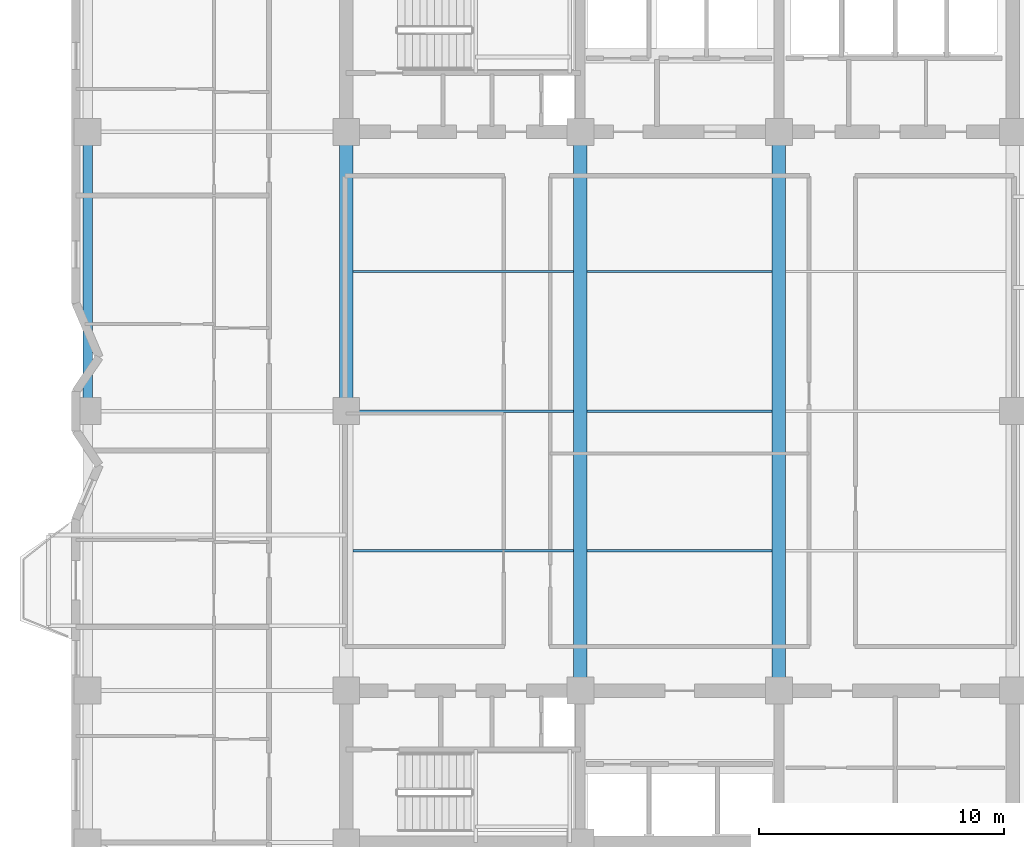
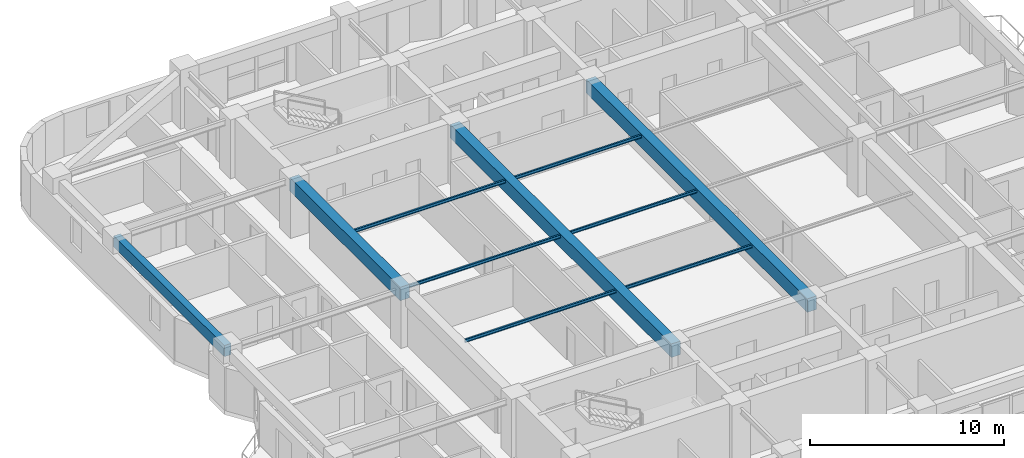
# One storey, part 3 of 15: 10 beams.
"""IFC4 building model written with IfcOpenShell, lengths in metres."""

from ifc_helpers import new_model, si_unit, direction, frame, origin, origin_2d, place, context, subcontext, project, spatial, rectangle, i_section, extrude, material, material_profile, profile_set, type_object, element, save


model = new_model("IFC4")

# Units and contexts
model_context = context("Model", 3, precision=1e-05, world=origin(), true_north=direction((0.0, 1.0)))
body_context = subcontext(model_context, "Body", "Model", "MODEL_VIEW")
ifc_project = project(units=[si_unit("LENGTHUNIT", "METRE"), si_unit("AREAUNIT", "SQUARE_METRE"), si_unit("VOLUMEUNIT", "CUBIC_METRE"), si_unit("PLANEANGLEUNIT", "RADIAN"), si_unit("MASSUNIT", "GRAM", prefix="KILO")], contexts=[model_context])

# Site, building, storey
site_placement = place(None, origin())
site = spatial("IfcSite", under=ifc_project, at=site_placement, CompositionType="ELEMENT")
building_placement = place(site_placement, origin())
building = spatial("IfcBuilding", under=site, at=building_placement, Name="Svetorya Sky Lyceum", CompositionType="ELEMENT")
storey_placement = place(building_placement, frame((0.0, 0.0, 99.39990234375)))
storey = spatial("IfcBuildingStorey", under=building, at=storey_placement, Name="L24", CompositionType="ELEMENT", Elevation=99.39990234375)

# Beams
ifc_material_1 = material(Name="Concrete C50/60", Category="concrete")
ifc_material_profile_1 = material_profile(ifc_material_1, rectangle(XDim=0.550048828125, YDim=0.85009765625, at=origin_2d()), Name="RC BEAM 550x850")
ifc_profile_set_1 = profile_set([ifc_material_profile_1], Name="Concrete C50/60")
beam_type_1 = type_object("IfcBeamType", Name="BM-RC-850", PredefinedType="BEAM", material=ifc_profile_set_1)
beam_1_placement = place(storey_placement, frame((25.60009765625, 28.199951171875, 2.9951171875), z_axis=(0.0, 1.0, 0.0), x_axis=(-1.0, 0.0, 0.0)))
element("IfcBeam", 1, at=beam_1_placement, inside=storey, type_object=beam_type_1, Name="L24 Central Bay Primary Girder CG-1B", PredefinedType="BEAM", context=body_context, shape_type="SweptSolid", body=[
    extrude(rectangle(XDim=0.550048828125, YDim=0.85009765625, at=origin_2d()), origin(), (0.0, 0.0, 1.0), 11.400146484375),
])
for number, where, z_axis, x_axis, name in (
    (2, (35.14990234375, 16.800048828125, 2.9951171875), (0.0, 1.0, 0.0), (-1.0, 0.0, 0.0), "L24 Central Bay Primary Girder CG-2"),
    (3, (43.25, 16.800048828125, 2.9951171875), (0.0, 1.0, 0.0), (-1.0, 0.0, 0.0), "L24 Central Bay Primary Girder CG-3"),
):
    element("IfcBeam", number, at=place(storey_placement, frame(where, z_axis=z_axis, x_axis=x_axis)), inside=storey, type_object=beam_type_1, Name=name, PredefinedType="BEAM", context=body_context, shape_type="SweptSolid", body=[
        extrude(rectangle(XDim=0.550048828125, YDim=0.85009765625, at=origin_2d()), origin(), (0.0, 0.0, 1.0), 22.800048828125),
    ])
ifc_material_profile_2 = material_profile(ifc_material_1, rectangle(XDim=0.39990234375, YDim=0.699951171875, at=origin_2d()), Name="RC SPANDREL 400x700")
ifc_profile_set_2 = profile_set([ifc_material_profile_2], Name="Concrete C50/60")
beam_type_2 = type_object("IfcBeamType", Name="BM-SPN-700", PredefinedType="SPANDREL", material=ifc_profile_set_2)
beam_2_placement = place(storey_placement, frame((15.050048828125, 28.199951171875, 3.070068359375), z_axis=(0.0, 1.0, 0.0), x_axis=(-1.0, 0.0, 0.0)))
element("IfcBeam", 4, at=beam_2_placement, inside=storey, type_object=beam_type_2, Name="L24 West Spandrel 3", PredefinedType="SPANDREL", context=body_context, shape_type="SweptSolid", body=[
    extrude(rectangle(XDim=0.39990234375, YDim=0.699951171875, at=origin_2d()), origin(), (0.0, 0.0, 1.0), 11.400146484375),
])
ifc_material_2 = material(Name="Steel S355", Category="steel")
ifc_material_profile_3 = material_profile(ifc_material_2, i_section(OverallWidth=0.10009765625, OverallDepth=0.199951171875, WebThickness=0.005615234375, FlangeThickness=0.008544921875, at=origin_2d()), Name="GOST 20B1")
ifc_profile_set_3 = profile_set([ifc_material_profile_3], Name="Steel S355")
beam_type_3 = type_object("IfcBeamType", Name="BM-STL-20B1", PredefinedType="JOIST", material=ifc_profile_set_3)
beam_3_placement = place(storey_placement, frame((25.875, 22.5, 3.320068359375), z_axis=(1.0, 0.0, 0.0), x_axis=(0.0, 1.0, 0.0)))
element("IfcBeam", 5, at=beam_3_placement, inside=storey, type_object=beam_type_3, Name="L24 Central Floor Joist CJ-1.1", PredefinedType="JOIST", context=body_context, shape_type="SweptSolid", body=[
    extrude(i_section(OverallWidth=0.10009765625, OverallDepth=0.199951171875, WebThickness=0.005615234375, FlangeThickness=0.008544921875, at=origin_2d()), origin(), (0.0, 0.0, 1.0), 9.0),
])
beam_4_placement = place(storey_placement, frame((35.425048828125, 22.5, 3.320068359375), z_axis=(1.0, 0.0, 0.0), x_axis=(0.0, 1.0, 0.0)))
element("IfcBeam", 6, at=beam_4_placement, inside=storey, type_object=beam_type_3, Name="L24 Central Floor Joist CJ-1.2", PredefinedType="JOIST", context=body_context, shape_type="SweptSolid", body=[
    extrude(i_section(OverallWidth=0.10009765625, OverallDepth=0.199951171875, WebThickness=0.005615234375, FlangeThickness=0.008544921875, at=origin_2d()), origin(), (0.0, 0.0, 1.0), 7.550048828125),
])
beam_5_placement = place(storey_placement, frame((25.875, 28.199951171875, 3.320068359375), z_axis=(1.0, 0.0, 0.0), x_axis=(0.0, 1.0, 0.0)))
element("IfcBeam", 7, at=beam_5_placement, inside=storey, type_object=beam_type_3, Name="L24 Central Floor Joist CJ-2.1", PredefinedType="JOIST", context=body_context, shape_type="SweptSolid", body=[
    extrude(i_section(OverallWidth=0.10009765625, OverallDepth=0.199951171875, WebThickness=0.005615234375, FlangeThickness=0.008544921875, at=origin_2d()), origin(), (0.0, 0.0, 1.0), 9.0),
])
beam_6_placement = place(storey_placement, frame((35.425048828125, 28.199951171875, 3.320068359375), z_axis=(1.0, 0.0, 0.0), x_axis=(0.0, 1.0, 0.0)))
element("IfcBeam", 8, at=beam_6_placement, inside=storey, type_object=beam_type_3, Name="L24 Central Floor Joist CJ-2.2", PredefinedType="JOIST", context=body_context, shape_type="SweptSolid", body=[
    extrude(i_section(OverallWidth=0.10009765625, OverallDepth=0.199951171875, WebThickness=0.005615234375, FlangeThickness=0.008544921875, at=origin_2d()), origin(), (0.0, 0.0, 1.0), 7.550048828125),
])
beam_7_placement = place(storey_placement, frame((25.875, 33.89990234375, 3.320068359375), z_axis=(1.0, 0.0, 0.0), x_axis=(0.0, 1.0, 0.0)))
element("IfcBeam", 9, at=beam_7_placement, inside=storey, type_object=beam_type_3, Name="L24 Central Floor Joist CJ-3.1", PredefinedType="JOIST", context=body_context, shape_type="SweptSolid", body=[
    extrude(i_section(OverallWidth=0.10009765625, OverallDepth=0.199951171875, WebThickness=0.005615234375, FlangeThickness=0.008544921875, at=origin_2d()), origin(), (0.0, 0.0, 1.0), 9.0),
])
beam_8_placement = place(storey_placement, frame((35.425048828125, 33.89990234375, 3.320068359375), z_axis=(1.0, 0.0, 0.0), x_axis=(0.0, 1.0, 0.0)))
element("IfcBeam", 10, at=beam_8_placement, inside=storey, type_object=beam_type_3, Name="L24 Central Floor Joist CJ-3.2", PredefinedType="JOIST", context=body_context, shape_type="SweptSolid", body=[
    extrude(i_section(OverallWidth=0.10009765625, OverallDepth=0.199951171875, WebThickness=0.005615234375, FlangeThickness=0.008544921875, at=origin_2d()), origin(), (0.0, 0.0, 1.0), 7.550048828125),
])

save(model, "model.ifc")
